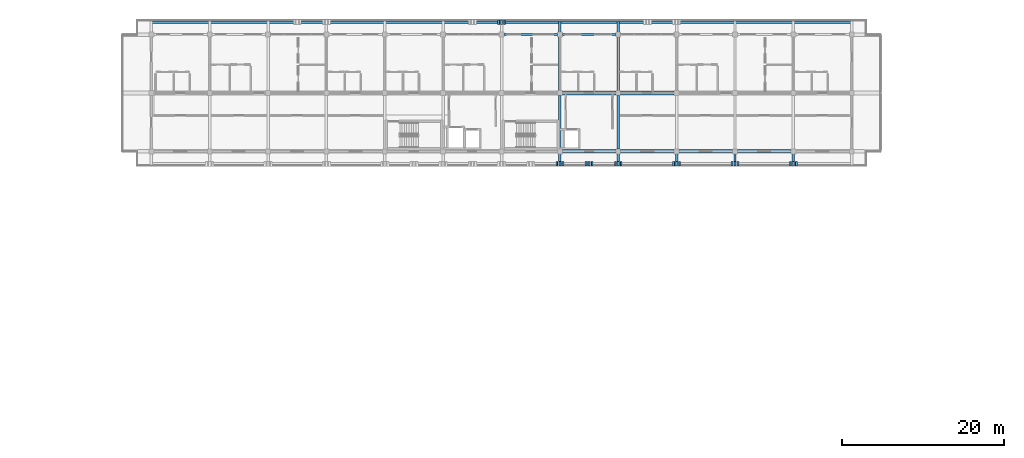
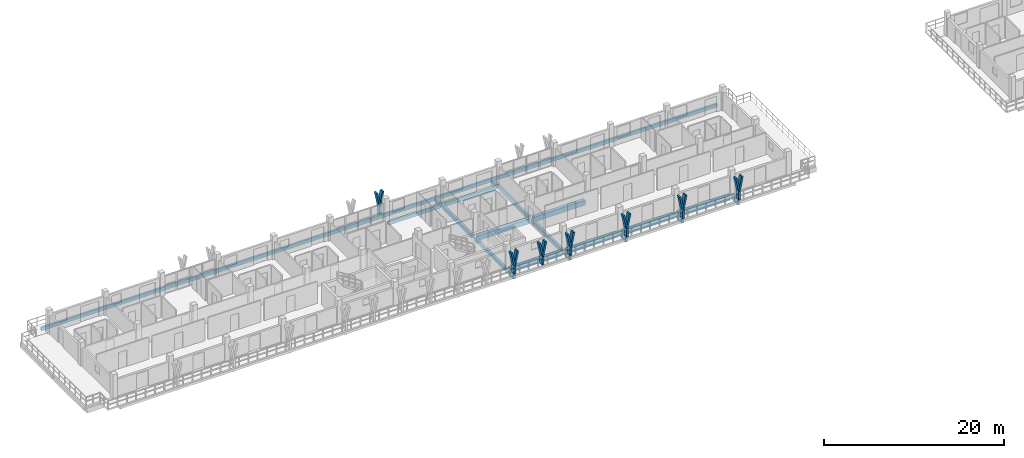
# One storey, part 14 of 65: 21 members, 20 beams.
"""IFC4 building model written with IfcOpenShell, lengths in metres."""

from ifc_helpers import new_model, si_unit, direction, frame, origin, origin_2d, place, context, subcontext, project, spatial, rectangle, extrude, material, material_profile, profile_set, type_object, element, save


model = new_model("IFC4")

# Units and contexts
model_context = context("Model", 3, precision=1e-05, world=origin(), true_north=direction((0.0, 1.0)))
body_context = subcontext(model_context, "Body", "Model", "MODEL_VIEW")
ifc_project = project(units=[si_unit("LENGTHUNIT", "METRE"), si_unit("AREAUNIT", "SQUARE_METRE"), si_unit("VOLUMEUNIT", "CUBIC_METRE"), si_unit("PLANEANGLEUNIT", "RADIAN"), si_unit("MASSUNIT", "GRAM", prefix="KILO")], contexts=[model_context])

# Site, building, storey
site_placement = place(None, origin())
site = spatial("IfcSite", under=ifc_project, at=site_placement, CompositionType="ELEMENT")
building_placement = place(site_placement, origin())
building = spatial("IfcBuilding", under=site, at=building_placement, Name="Suanplinth Sawtooth Commons", CompositionType="ELEMENT")
storey_placement = place(building_placement, frame((0.0, 0.0, 28.300048828125)))
storey = spatial("IfcBuildingStorey", under=building, at=storey_placement, Name="L08", CompositionType="ELEMENT", Elevation=28.300048828125)

# Beams
ifc_material_1 = material(Name="Precast concrete C40/50", Category="concrete")
ifc_material_profile_1 = material_profile(ifc_material_1, rectangle(XDim=0.449951171875, YDim=0.64990234375, at=origin_2d()), Name="PC-GDR 450x650")
ifc_profile_set_1 = profile_set([ifc_material_profile_1], Name="Precast concrete C40/50")
beam_type_1 = type_object("IfcBeamType", Name="B-04", PredefinedType="USERDEFINED", material=ifc_profile_set_1)
for number, where, z_axis, x_axis, name in (
    (1, (65.10009765625, 108.0, -0.53515625), (1.0, 0.0, 0.0), (0.0, 1.0, 0.0), "BMX-L08-A-9-15"),
    (2, (65.10009765625, 115.199951171875, -0.53515625), (1.0, 0.0, 0.0), (0.0, 1.0, 0.0), "BMX-L08-A-9-16"),
    (3, (72.300048828125, 108.0, -0.53515625), (1.0, 0.0, 0.0), (0.0, 1.0, 0.0), "BMX-L08-A-10-15"),
    (4, (72.300048828125, 115.199951171875, -0.53515625), (1.0, 0.0, 0.0), (0.0, 1.0, 0.0), "BMX-L08-A-10-16"),
):
    element("IfcBeam", number, at=place(storey_placement, frame(where, z_axis=z_axis, x_axis=x_axis)), inside=storey, type_object=beam_type_1, Name=name, ObjectType="GIRDER", PredefinedType="USERDEFINED", context=body_context, shape_type="SweptSolid", body=[
        extrude(rectangle(XDim=0.449951171875, YDim=0.64990234375, at=origin_2d()), origin(), (0.0, 0.0, 1.0), 6.599853515625),
    ])
for number, where, z_axis, x_axis, name in (
    (5, (79.5, 108.0, -0.53515625), (1.0, 0.0, 0.0), (0.0, 1.0, 0.0), "BMX-L08-A-11-15"),
    (6, (86.699951171875, 108.0, -0.53515625), (1.0, 0.0, 0.0), (0.0, 1.0, 0.0), "BMX-L08-A-12-15"),
):
    element("IfcBeam", number, at=place(storey_placement, frame(where, z_axis=z_axis, x_axis=x_axis)), inside=storey, type_object=beam_type_1, Name=name, ObjectType="GIRDER", PredefinedType="USERDEFINED", context=body_context, shape_type="SweptSolid", body=[
        extrude(rectangle(XDim=0.449951171875, YDim=0.64990234375, at=origin_2d()), origin(), (0.0, 0.0, 1.0), 6.60009765625),
    ])
ifc_material_profile_2 = material_profile(ifc_material_1, rectangle(XDim=0.300048828125, YDim=0.5, at=origin_2d()), Name="PC-BM 300x500")
ifc_profile_set_2 = profile_set([ifc_material_profile_2], Name="Precast concrete C40/50")
beam_type_2 = type_object("IfcBeamType", Name="B-07", PredefinedType="BEAM", material=ifc_profile_set_2)
beam_1_placement = place(storey_placement, frame((64.800048828125, 108.300048828125, -0.4599609375), z_axis=(0.0, 1.0, 0.0), x_axis=(-1.0, 0.0, 0.0)))
element("IfcBeam", 7, at=beam_1_placement, inside=storey, type_object=beam_type_2, Name="BMY-L08-A-9-15", PredefinedType="BEAM", context=body_context, shape_type="SweptSolid", body=[
    extrude(rectangle(XDim=0.300048828125, YDim=0.5, at=origin_2d()), origin(), (0.0, 0.0, 1.0), 6.599853515625),
])
beam_2_placement = place(storey_placement, frame((64.800048828125, 115.5, -0.4599609375), z_axis=(0.0, 1.0, 0.0), x_axis=(-1.0, 0.0, 0.0)))
element("IfcBeam", 8, at=beam_2_placement, inside=storey, type_object=beam_type_2, Name="BMY-L08-A-9-16", PredefinedType="BEAM", context=body_context, shape_type="SweptSolid", body=[
    extrude(rectangle(XDim=0.300048828125, YDim=0.5, at=origin_2d()), origin(), (0.0, 0.0, 1.0), 6.60009765625),
])
beam_3_placement = place(storey_placement, frame((72.0, 108.300048828125, -0.4599609375), z_axis=(0.0, 1.0, 0.0), x_axis=(-1.0, 0.0, 0.0)))
element("IfcBeam", 9, at=beam_3_placement, inside=storey, type_object=beam_type_2, Name="BMY-L08-A-10-15", PredefinedType="BEAM", context=body_context, shape_type="SweptSolid", body=[
    extrude(rectangle(XDim=0.300048828125, YDim=0.5, at=origin_2d()), origin(), (0.0, 0.0, 1.0), 6.599853515625),
])
beam_4_placement = place(storey_placement, frame((72.0, 115.5, -0.4599609375), z_axis=(0.0, 1.0, 0.0), x_axis=(-1.0, 0.0, 0.0)))
element("IfcBeam", 10, at=beam_4_placement, inside=storey, type_object=beam_type_2, Name="BMY-L08-A-10-16", PredefinedType="BEAM", context=body_context, shape_type="SweptSolid", body=[
    extrude(rectangle(XDim=0.300048828125, YDim=0.5, at=origin_2d()), origin(), (0.0, 0.0, 1.0), 6.60009765625),
])
for number, where, z_axis, x_axis, name in (
    (11, (64.800048828125, 122.39990234375, -0.429931640625), (0.0, 1.0, 0.0), (-1.0, 0.0, 0.0), "Balcony Outrigger L08-A-N-9"),
    (12, (72.0, 122.39990234375, -0.429931640625), (0.0, 1.0, 0.0), (-1.0, 0.0, 0.0), "Balcony Outrigger L08-A-N-10"),
):
    element("IfcBeam", number, at=place(storey_placement, frame(where, z_axis=z_axis, x_axis=x_axis)), inside=storey, type_object=beam_type_2, Name=name, PredefinedType="BEAM", context=body_context, shape_type="SweptSolid", body=[
        extrude(rectangle(XDim=0.300048828125, YDim=0.5, at=origin_2d()), origin(), (0.0, 0.0, 1.0), 1.64013671875),
    ])
for number, where, z_axis, x_axis, name in (
    (13, (64.800048828125, 108.0, -0.429931640625), (0.0, -1.0, 0.0), (1.0, 0.0, 0.0), "Balcony Outrigger L08-A-S-9"),
    (14, (72.0, 108.0, -0.429931640625), (0.0, -1.0, 0.0), (1.0, 0.0, 0.0), "Balcony Outrigger L08-A-S-10"),
    (15, (79.199951171875, 108.0, -0.429931640625), (0.0, -1.0, 0.0), (1.0, 0.0, 0.0), "Balcony Outrigger L08-A-S-11"),
    (16, (86.39990234375, 108.0, -0.429931640625), (0.0, -1.0, 0.0), (1.0, 0.0, 0.0), "Balcony Outrigger L08-A-S-12"),
    (17, (93.60009765625, 108.0, -0.429931640625), (0.0, -1.0, 0.0), (1.0, 0.0, 0.0), "Balcony Outrigger L08-A-S-13"),
):
    element("IfcBeam", number, at=place(storey_placement, frame(where, z_axis=z_axis, x_axis=x_axis)), inside=storey, type_object=beam_type_2, Name=name, PredefinedType="BEAM", context=body_context, shape_type="SweptSolid", body=[
        extrude(rectangle(XDim=0.300048828125, YDim=0.5, at=origin_2d()), origin(), (0.0, 0.0, 1.0), 1.639892578125),
    ])
ifc_material_profile_3 = material_profile(ifc_material_1, rectangle(XDim=0.25, YDim=0.449951171875, at=origin_2d()), Name="PC-SP 250x450")
ifc_profile_set_3 = profile_set([ifc_material_profile_3], Name="Precast concrete C40/50")
beam_type_3 = type_object("IfcBeamType", Name="B-09", PredefinedType="SPANDREL", material=ifc_profile_set_3)
beam_5_placement = place(storey_placement, frame((57.89990234375, 122.39990234375, -0.43505859375), z_axis=(1.0, 0.0, 0.0), x_axis=(0.0, 1.0, 0.0)))
element("IfcBeam", 18, at=beam_5_placement, inside=storey, type_object=beam_type_3, Name="BMX-L08-A-8-17", PredefinedType="SPANDREL", context=body_context, shape_type="SweptSolid", body=[
    extrude(rectangle(XDim=0.25, YDim=0.449951171875, at=origin_2d()), origin(), (0.0, 0.0, 1.0), 6.60009765625),
])
beam_6_placement = place(storey_placement, frame((65.10009765625, 122.39990234375, -0.43505859375), z_axis=(1.0, 0.0, 0.0), x_axis=(0.0, 1.0, 0.0)))
element("IfcBeam", 19, at=beam_6_placement, inside=storey, type_object=beam_type_3, Name="BMX-L08-A-9-17", PredefinedType="SPANDREL", context=body_context, shape_type="SweptSolid", body=[
    extrude(rectangle(XDim=0.25, YDim=0.449951171875, at=origin_2d()), origin(), (0.0, 0.0, 1.0), 6.599853515625),
])
beam_7_placement = place(storey_placement, frame((14.25, 123.919921875, -0.405029296875), z_axis=(1.0, 0.0, 0.0), x_axis=(0.0, 1.0, 0.0)))
element("IfcBeam", 20, at=beam_7_placement, inside=storey, type_object=beam_type_3, Name="Balcony Edge Fascia L08-A-N", PredefinedType="SPANDREL", context=body_context, shape_type="SweptSolid", body=[
    extrude(rectangle(XDim=0.25, YDim=0.449951171875, at=origin_2d()), origin(), (0.0, 0.0, 1.0), 86.699951171875),
])

# Members
ifc_material_2 = material(Name="Pigmented precast concrete C40/50", Category="concrete")
ifc_material_profile_4 = material_profile(ifc_material_2, rectangle(XDim=0.260009765625, YDim=0.550048828125, at=origin_2d()), Name="PC-FIN 260x550")
ifc_profile_set_4 = profile_set([ifc_material_profile_4], Name="Pigmented precast concrete C40/50")
member_type_1 = type_object("IfcMemberType", Name="M-09", PredefinedType="USERDEFINED", material=ifc_profile_set_4)
for number, where, z_axis, x_axis, name in (
    (21, (57.60009765625, 123.919921875, 0.0), (0.0, 0.0, 1.0), (1.0, 0.0, 0.0), "Y-Blade Stem L08-A-N-04"),
    (22, (64.800048828125, 106.47998046875, 0.0), (0.0, 0.0, 1.0), (1.0, 0.0, 0.0), "Y-Blade Stem L08-A-S-16"),
    (23, (68.39990234375, 106.47998046875, 0.0), (0.0, 0.0, 1.0), (1.0, 0.0, 0.0), "Y-Blade Stem L08-A-S-17"),
    (24, (72.0, 106.47998046875, 0.0), (0.0, 0.0, 1.0), (1.0, 0.0, 0.0), "Y-Blade Stem L08-A-S-18"),
    (25, (79.199951171875, 106.47998046875, 0.0), (0.0, 0.0, 1.0), (1.0, 0.0, 0.0), "Y-Blade Stem L08-A-S-19"),
    (26, (86.39990234375, 106.47998046875, 0.0), (0.0, 0.0, 1.0), (1.0, 0.0, 0.0), "Y-Blade Stem L08-A-S-20"),
    (27, (93.60009765625, 106.47998046875, 0.0), (0.0, 0.0, 1.0), (1.0, 0.0, 0.0), "Y-Blade Stem L08-A-S-21"),
):
    element("IfcMember", number, at=place(storey_placement, frame(where, z_axis=z_axis, x_axis=x_axis)), inside=storey, type_object=member_type_1, Name=name, ObjectType="SHADING FIN", PredefinedType="USERDEFINED", context=body_context, shape_type="SweptSolid", body=[
        extrude(rectangle(XDim=0.260009765625, YDim=0.550048828125, at=origin_2d()), origin(), (0.0, 0.0, 1.0), 1.169921875),
    ])
ifc_material_profile_5 = material_profile(ifc_material_2, rectangle(XDim=0.219970703125, YDim=0.550048828125, at=origin_2d()), Name="PC-FIN 220x550")
ifc_profile_set_5 = profile_set([ifc_material_profile_5], Name="Pigmented precast concrete C40/50")
member_type_2 = type_object("IfcMemberType", Name="M-10", PredefinedType="USERDEFINED", material=ifc_profile_set_5)
member_1_placement = place(storey_placement, frame((57.60009765625, 123.919921875, 1.1298828125), z_axis=(-0.196406855569, 0.0, 0.980522486782), x_axis=(0.980522486782, 0.0, 0.196406855569)))
element("IfcMember", 28, at=member_1_placement, inside=storey, type_object=member_type_2, Name="Y-Blade Arm L L08-A-N-04", ObjectType="SHADING FIN", PredefinedType="USERDEFINED", context=body_context, shape_type="SweptSolid", body=[
    extrude(rectangle(XDim=0.219970703125, YDim=0.550048828125, at=origin_2d()), origin(), (0.0, 0.0, 1.0), 1.93798828125),
])
member_2_placement = place(storey_placement, frame((57.60009765625, 123.919921875, 1.1298828125), z_axis=(0.196285728346, 0.0, 0.980546741796), x_axis=(-0.980546741796, 0.0, 0.196285728346)))
element("IfcMember", 29, at=member_2_placement, inside=storey, type_object=member_type_2, Name="Y-Blade Arm R L08-A-N-04", ObjectType="SHADING FIN", PredefinedType="USERDEFINED", context=body_context, shape_type="SweptSolid", body=[
    extrude(rectangle(XDim=0.219970703125, YDim=0.550048828125, at=origin_2d()), origin(), (0.0, 0.0, 1.0), 1.937744140625),
])
member_3_placement = place(storey_placement, frame((64.800048828125, 106.47998046875, 1.1298828125), z_axis=(-0.196406855569, 0.0, 0.980522486782), x_axis=(0.980522486782, 0.0, 0.196406855569)))
element("IfcMember", 30, at=member_3_placement, inside=storey, type_object=member_type_2, Name="Y-Blade Arm L L08-A-S-16", ObjectType="SHADING FIN", PredefinedType="USERDEFINED", context=body_context, shape_type="SweptSolid", body=[
    extrude(rectangle(XDim=0.219970703125, YDim=0.550048828125, at=origin_2d()), origin(), (0.0, 0.0, 1.0), 1.93798828125),
])
for number, where, z_axis, x_axis, name in (
    (31, (64.800048828125, 106.47998046875, 1.1298828125), (0.196285728346, 0.0, 0.980546741796), (-0.980546741796, 0.0, 0.196285728346), "Y-Blade Arm R L08-A-S-16"),
    (32, (68.39990234375, 106.47998046875, 1.1298828125), (-0.196285728346, 0.0, 0.980546741796), (0.980546741796, 0.0, 0.196285728346), "Y-Blade Arm L L08-A-S-17"),
):
    element("IfcMember", number, at=place(storey_placement, frame(where, z_axis=z_axis, x_axis=x_axis)), inside=storey, type_object=member_type_2, Name=name, ObjectType="SHADING FIN", PredefinedType="USERDEFINED", context=body_context, shape_type="SweptSolid", body=[
        extrude(rectangle(XDim=0.219970703125, YDim=0.550048828125, at=origin_2d()), origin(), (0.0, 0.0, 1.0), 1.937744140625),
    ])
for number, where, z_axis, x_axis, name in (
    (33, (68.39990234375, 106.47998046875, 1.1298828125), (0.196406855569, 0.0, 0.980522486782), (-0.980522486782, 0.0, 0.196406855569), "Y-Blade Arm R L08-A-S-17"),
    (34, (72.0, 106.47998046875, 1.1298828125), (-0.196406855569, 0.0, 0.980522486782), (0.980522486782, 0.0, 0.196406855569), "Y-Blade Arm L L08-A-S-18"),
    (35, (72.0, 106.47998046875, 1.1298828125), (0.196406855569, 0.0, 0.980522486782), (-0.980522486782, 0.0, 0.196406855569), "Y-Blade Arm R L08-A-S-18"),
):
    element("IfcMember", number, at=place(storey_placement, frame(where, z_axis=z_axis, x_axis=x_axis)), inside=storey, type_object=member_type_2, Name=name, ObjectType="SHADING FIN", PredefinedType="USERDEFINED", context=body_context, shape_type="SweptSolid", body=[
        extrude(rectangle(XDim=0.219970703125, YDim=0.550048828125, at=origin_2d()), origin(), (0.0, 0.0, 1.0), 1.93798828125),
    ])
member_4_placement = place(storey_placement, frame((79.199951171875, 106.47998046875, 1.1298828125), z_axis=(-0.196285728346, 0.0, 0.980546741796), x_axis=(0.980546741796, 0.0, 0.196285728346)))
element("IfcMember", 36, at=member_4_placement, inside=storey, type_object=member_type_2, Name="Y-Blade Arm L L08-A-S-19", ObjectType="SHADING FIN", PredefinedType="USERDEFINED", context=body_context, shape_type="SweptSolid", body=[
    extrude(rectangle(XDim=0.219970703125, YDim=0.550048828125, at=origin_2d()), origin(), (0.0, 0.0, 1.0), 1.937744140625),
])
member_5_placement = place(storey_placement, frame((79.199951171875, 106.47998046875, 1.1298828125), z_axis=(0.196406855569, 0.0, 0.980522486782), x_axis=(-0.980522486782, 0.0, 0.196406855569)))
element("IfcMember", 37, at=member_5_placement, inside=storey, type_object=member_type_2, Name="Y-Blade Arm R L08-A-S-19", ObjectType="SHADING FIN", PredefinedType="USERDEFINED", context=body_context, shape_type="SweptSolid", body=[
    extrude(rectangle(XDim=0.219970703125, YDim=0.550048828125, at=origin_2d()), origin(), (0.0, 0.0, 1.0), 1.93798828125),
])
member_6_placement = place(storey_placement, frame((86.39990234375, 106.47998046875, 1.1298828125), z_axis=(-0.196285728346, 0.0, 0.980546741796), x_axis=(0.980546741796, 0.0, 0.196285728346)))
element("IfcMember", 38, at=member_6_placement, inside=storey, type_object=member_type_2, Name="Y-Blade Arm L L08-A-S-20", ObjectType="SHADING FIN", PredefinedType="USERDEFINED", context=body_context, shape_type="SweptSolid", body=[
    extrude(rectangle(XDim=0.219970703125, YDim=0.550048828125, at=origin_2d()), origin(), (0.0, 0.0, 1.0), 1.937744140625),
])
for number, where, z_axis, x_axis, name in (
    (39, (86.39990234375, 106.47998046875, 1.1298828125), (0.196406855569, 0.0, 0.980522486782), (-0.980522486782, 0.0, 0.196406855569), "Y-Blade Arm R L08-A-S-20"),
    (40, (93.60009765625, 106.47998046875, 1.1298828125), (-0.196406855569, 0.0, 0.980522486782), (0.980522486782, 0.0, 0.196406855569), "Y-Blade Arm L L08-A-S-21"),
):
    element("IfcMember", number, at=place(storey_placement, frame(where, z_axis=z_axis, x_axis=x_axis)), inside=storey, type_object=member_type_2, Name=name, ObjectType="SHADING FIN", PredefinedType="USERDEFINED", context=body_context, shape_type="SweptSolid", body=[
        extrude(rectangle(XDim=0.219970703125, YDim=0.550048828125, at=origin_2d()), origin(), (0.0, 0.0, 1.0), 1.93798828125),
    ])
member_7_placement = place(storey_placement, frame((93.60009765625, 106.47998046875, 1.1298828125), z_axis=(0.196285728346, 0.0, 0.980546741796), x_axis=(-0.980546741796, 0.0, 0.196285728346)))
element("IfcMember", 41, at=member_7_placement, inside=storey, type_object=member_type_2, Name="Y-Blade Arm R L08-A-S-21", ObjectType="SHADING FIN", PredefinedType="USERDEFINED", context=body_context, shape_type="SweptSolid", body=[
    extrude(rectangle(XDim=0.219970703125, YDim=0.550048828125, at=origin_2d()), origin(), (0.0, 0.0, 1.0), 1.937744140625),
])

save(model, "model.ifc")
